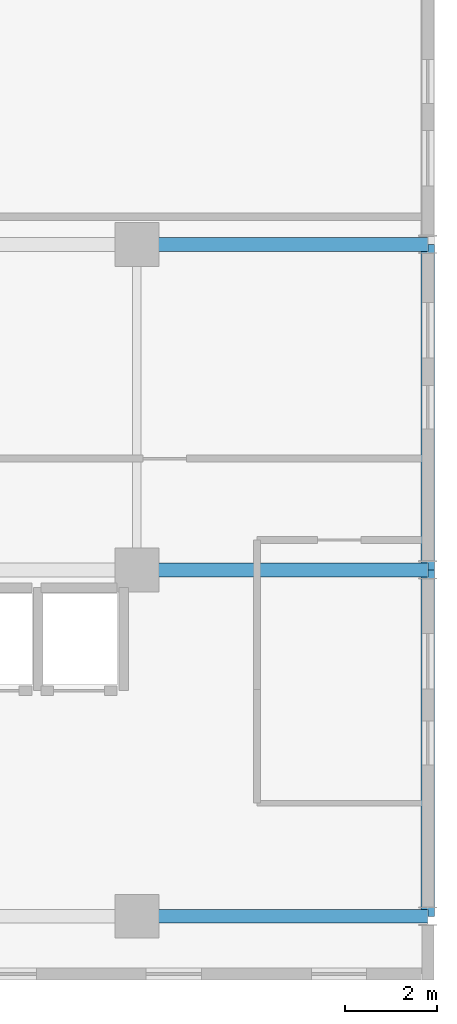
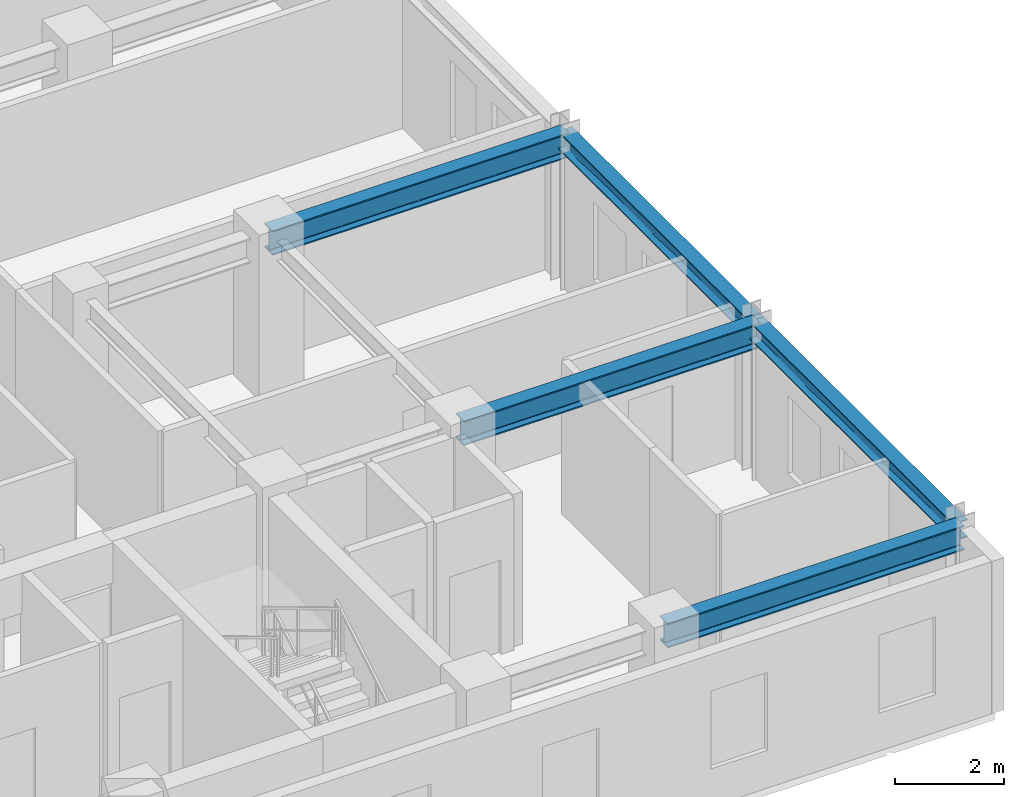
# One storey, part 8 of 24: 5 beams.
"""IFC4 building model written with IfcOpenShell, lengths in metres."""

import ifcopenshell
import ifcopenshell.guid

model = None  # the IFC model being written
_history = None  # IfcOwnerHistory: only IFC2X3 demands one
_inside = {}  # id of a spatial element -> (the spatial element, [elements in it])
_under = {}  # id of a project, library or spatial element -> (it, [spatial elements below it])
_declared = {}  # id of a project -> (the project, [libraries it declares])
_typed = {}  # id of a type object -> (the type object, [elements of that type])
_made_of = {}  # id of a material, layer set ... -> (it, [elements and type objects made of it])


def new_model(schema):
    """Start an empty IFC model of exactly this schema.

    Asked for "IFC4X3", IfcOpenShell would pick the latest addendum, in which some entities
    have other attributes; the version numbers below select the first issue.
    IFC2X3 requires an IfcOwnerHistory on every rooted entity: one is made here for all.
    """
    global model, _history
    if schema == "IFC4X3":
        model = ifcopenshell.file(schema_version=(4, 3, 0, 0))
    else:
        model = ifcopenshell.file(schema=schema)
    _inside.clear()
    _under.clear()
    _declared.clear()
    _typed.clear()
    _made_of.clear()
    _history = None
    if model.schema == "IFC2X3":
        org = make("IfcOrganization", Name="unknown")
        user = make(
            "IfcPersonAndOrganization",
            ThePerson=make("IfcPerson", FamilyName="unknown"),
            TheOrganization=org,
        )
        app = make(
            "IfcApplication",
            ApplicationDeveloper=org,
            Version="unknown",
            ApplicationFullName="unknown",
            ApplicationIdentifier="unknown",
        )
        _history = make(
            "IfcOwnerHistory",
            OwningUser=user,
            OwningApplication=app,
            ChangeAction="ADDED",
            CreationDate=0,
        )
    return model


def make(cls, **values):
    """One entity of the class cls with the attributes given. An attribute that is None is left unset."""
    return model.create_entity(
        cls, **{name: value for name, value in values.items() if value is not None}
    )


def rooted(cls, **values):
    """An entity with a GlobalId (a new one), such as an element, a storey or a relation."""
    return make(cls, GlobalId=ifcopenshell.guid.new(), OwnerHistory=_history, **values)


def si_unit(unit_type, name, prefix=None):
    """IfcSIUnit, for example si_unit("LENGTHUNIT", "METRE", prefix="MILLI")."""
    return make("IfcSIUnit", UnitType=unit_type, Prefix=prefix, Name=name)


def assignment(units):
    """IfcUnitAssignment: the units of a project."""
    return None if units is None else make("IfcUnitAssignment", Units=units)


def point(xyz):
    """IfcCartesianPoint."""
    return None if xyz is None else make("IfcCartesianPoint", Coordinates=xyz)


def direction(xyz):
    """IfcDirection."""
    return None if xyz is None else make("IfcDirection", DirectionRatios=xyz)


def frame(location, z_axis=None, x_axis=None):
    """IfcAxis2Placement3D, a coordinate frame: its origin and axes. An axis left out is left unset."""
    return make(
        "IfcAxis2Placement3D",
        Location=point(location),
        Axis=direction(z_axis),
        RefDirection=direction(x_axis),
    )


def frame_2d(location, x_axis=None):
    """IfcAxis2Placement2D, a coordinate frame in the plane: its origin and x axis."""
    return make(
        "IfcAxis2Placement2D", Location=point(location), RefDirection=direction(x_axis)
    )


def origin():
    """The frame at (0, 0, 0) with its axes left unset."""
    return frame((0.0, 0.0, 0.0))


def origin_2d():
    """The frame at (0, 0) in the plane with its x axis left unset."""
    return frame_2d((0.0, 0.0))


def place(relative_to, where):
    """IfcLocalPlacement: puts the frame where relative to a parent placement (None: the world)."""
    return make(
        "IfcLocalPlacement", PlacementRelTo=relative_to, RelativePlacement=where
    )


def context(
    kind, dimensions, precision=None, world=None, true_north=None, identifier=None
):
    """IfcGeometricRepresentationContext, for example the 3D "Model" context."""
    return make(
        "IfcGeometricRepresentationContext",
        ContextIdentifier=identifier,
        ContextType=kind,
        CoordinateSpaceDimension=dimensions,
        Precision=precision,
        WorldCoordinateSystem=world,
        TrueNorth=true_north,
    )


def subcontext(parent, identifier, kind, view, scale=None):
    """IfcGeometricRepresentationSubContext, for example "Body" below "Model"."""
    return make(
        "IfcGeometricRepresentationSubContext",
        ContextIdentifier=identifier,
        ContextType=kind,
        ParentContext=parent,
        TargetScale=scale,
        TargetView=view,
    )


def project(units=None, contexts=None):
    """IfcProject with its units and contexts."""
    return rooted(
        "IfcProject",
        Name="project",
        RepresentationContexts=contexts,
        UnitsInContext=assignment(units),
    )


def spatial(cls, under=None, at=None, **own):
    """A site, building, storey or space (cls), placed at a placement, below another one or the project."""
    s = rooted(cls, ObjectPlacement=at, **own)
    if under is not None:
        _under.setdefault(under.id(), (under, []))[1].append(s)
    return s


def profile(cls, at=None, kind="AREA", **sizes):
    """A parametric profile (cls). Its sizes go by their IFC names, for example OverallWidth=200.0."""
    return make(cls, ProfileType=kind, Position=at, **sizes)


def i_section(**sizes):
    """IfcIShapeProfileDef."""
    return profile("IfcIShapeProfileDef", **sizes)


def extrude(swept, where, along, depth):
    """IfcExtrudedAreaSolid: the profile swept, set in the frame where, extruded along a direction by depth."""
    return make(
        "IfcExtrudedAreaSolid",
        SweptArea=swept,
        Position=where,
        ExtrudedDirection=direction(along),
        Depth=depth,
    )


def shape(context_of_items, identifier, shape_type, items):
    """IfcShapeRepresentation: the items that make up one representation, for example the "Body"."""
    return make(
        "IfcShapeRepresentation",
        ContextOfItems=context_of_items,
        RepresentationIdentifier=identifier,
        RepresentationType=shape_type,
        Items=items,
    )


def source(mapping_origin, context_of_items, identifier, shape_type, items):
    """IfcRepresentationMap: a shape defined once, which mapped items show again and again."""
    return make(
        "IfcRepresentationMap",
        MappingOrigin=mapping_origin,
        MappedRepresentation=shape(context_of_items, identifier, shape_type, items),
    )


def transform(
    local_origin,
    x_axis=None,
    y_axis=None,
    z_axis=None,
    scale=None,
    scale2=None,
    scale3=None,
    uniform=True,
):
    """IfcCartesianTransformationOperator3D, or its non-uniform kind. x_axis, y_axis, z_axis: its Axis1, 2, 3."""
    if uniform:
        return make(
            "IfcCartesianTransformationOperator3D",
            Axis1=direction(x_axis),
            Axis2=direction(y_axis),
            LocalOrigin=point(local_origin),
            Scale=scale,
            Axis3=direction(z_axis),
        )
    return make(
        "IfcCartesianTransformationOperator3DnonUniform",
        Axis1=direction(x_axis),
        Axis2=direction(y_axis),
        LocalOrigin=point(local_origin),
        Scale=scale,
        Axis3=direction(z_axis),
        Scale2=scale2,
        Scale3=scale3,
    )


def mapped(mapping_source, mapping_target):
    """IfcMappedItem: shows the shape of a source again, moved by a transform."""
    return make(
        "IfcMappedItem", MappingSource=mapping_source, MappingTarget=mapping_target
    )


def material(Name=None, Category=None):
    """IfcMaterial."""
    return make("IfcMaterial", Name=Name, Category=Category)


def material_profile(
    of_material, cross_section, Name=None, Category=None, Priority=None
):
    """IfcMaterialProfile: a cross section and its material."""
    return make(
        "IfcMaterialProfile",
        Name=Name,
        Material=of_material,
        Profile=cross_section,
        Priority=Priority,
        Category=Category,
    )


def profile_set(profiles, Name=None, composite=None):
    """IfcMaterialProfileSet."""
    return make(
        "IfcMaterialProfileSet",
        Name=Name,
        MaterialProfiles=profiles,
        CompositeProfile=composite,
    )


def made_of(thing, what):
    """Note that an element or type object is made of a material, layer set ...; save() writes the relation."""
    if what is not None:
        _made_of.setdefault(what.id(), (what, []))[1].append(thing)
    return thing


def type_object(cls, material=None, **own):
    """A type object (cls), such as IfcWallType, which elements share."""
    return made_of(rooted(cls, **own), material)


def element(
    cls,
    number,
    at=None,
    inside=None,
    cuts=None,
    type_object=None,
    material=None,
    context=None,
    identifier="Body",
    shape_type=None,
    held_by="IfcProductDefinitionShape",
    body=None,
    shapes=None,
    **own,
):
    """One element of the class cls, such as IfcWall. Its Tag is "e" and its number.

    at: its placement. inside: the storey or other place that contains it. cuts: it is an
    opening in that element (IfcRelVoidsElement). A single representation is given by context,
    identifier, shape_type and body (its items); several are given by shapes. held_by: the class
    of the entity that holds the representations. save() writes the other relations.
    """
    e = rooted(cls, Tag="e%d" % number, ObjectPlacement=at, **own)
    if body is not None:
        shapes = [shape(context, identifier, shape_type, body)]
    if shapes is not None:
        e.Representation = make(held_by, Representations=shapes)
    if inside is not None:
        _inside.setdefault(inside.id(), (inside, []))[1].append(e)
    if cuts is not None:
        rooted(
            "IfcRelVoidsElement", RelatingBuildingElement=cuts, RelatedOpeningElement=e
        )
    if type_object is not None:
        _typed.setdefault(type_object.id(), (type_object, []))[1].append(e)
    return made_of(e, material)


def aggregate(whole, parts):
    """IfcRelAggregates: a whole, such as a stair, and the parts it consists of."""
    return rooted("IfcRelAggregates", RelatingObject=whole, RelatedObjects=parts)


def save(model, path):
    """Write the relations noted so far, then the file.

    IfcRelAggregates (storeys below a building ...), IfcRelContainedInSpatialStructure (elements
    in a storey), IfcRelDefinesByType, IfcRelAssociatesMaterial and IfcRelDeclares: one each for
    every whole, place, type object, material and project.
    """
    for whole, parts in _under.values():
        aggregate(whole, parts)
    for where, things in _inside.values():
        rooted(
            "IfcRelContainedInSpatialStructure",
            RelatedElements=things,
            RelatingStructure=where,
        )
    for kind, things in _typed.values():
        rooted("IfcRelDefinesByType", RelatedObjects=things, RelatingType=kind)
    for what, things in _made_of.values():
        rooted("IfcRelAssociatesMaterial", RelatedObjects=things, RelatingMaterial=what)
    for by, libraries in _declared.values():
        rooted("IfcRelDeclares", RelatingContext=by, RelatedDefinitions=libraries)
    model.write(path)


model = new_model("IFC4")

# Units and contexts
model_context = context("Model", 3, precision=1e-05, world=origin(), true_north=direction((0.0, 1.0)))
body_context = subcontext(model_context, "Body", "Model", "MODEL_VIEW")
ifc_project = project(units=[si_unit("LENGTHUNIT", "METRE"), si_unit("AREAUNIT", "SQUARE_METRE"), si_unit("VOLUMEUNIT", "CUBIC_METRE"), si_unit("PLANEANGLEUNIT", "RADIAN"), si_unit("MASSUNIT", "GRAM", prefix="KILO")], contexts=[model_context])

# Site, building, storey
site_placement = place(None, origin())
site = spatial("IfcSite", under=ifc_project, at=site_placement, CompositionType="ELEMENT")
building_placement = place(site_placement, origin())
building = spatial("IfcBuilding", under=site, at=building_placement, Name="Kaliganga Portal Commons", CompositionType="ELEMENT")
storey_placement = place(building_placement, frame((0.0, 0.0, 238.800048828125)))
storey = spatial("IfcBuildingStorey", under=building, at=storey_placement, Name="L61", CompositionType="ELEMENT", Elevation=238.800048828125)

# Beams
ifc_material = material(Name="Structural steel S355J2", Category="steel")
ifc_material_profile_1 = material_profile(ifc_material, i_section(OverallWidth=0.300048828125, OverallDepth=0.550048828125, WebThickness=0.014892578125, FlangeThickness=0.029052734375, FilletRadius=0.027099609375, at=origin_2d()), Name="HE 550 B")
ifc_profile_set_1 = profile_set([ifc_material_profile_1], Name="Structural steel S355J2 wide-flange")
beam_type_1 = type_object("IfcBeamType", Name="BM-GIRD-550", PredefinedType="USERDEFINED", material=ifc_profile_set_1)
shared_shape_1 = source(origin(), body_context, "Body", "SweptSolid", [
    extrude(i_section(OverallWidth=0.300048828125, OverallDepth=0.550048828125, WebThickness=0.014892578125, FlangeThickness=0.029052734375, FilletRadius=0.027099609375, at=origin_2d()), origin(), (0.0, 0.0, 1.0), 6.300048828125),
])
for number, where, z_axis, x_axis, name in (
    (1, (54.39990234375, 7.050048828125, 3.1650390625), (1.0, 0.0, 0.0), (0.0, 1.0, 0.0), "BM G L61 BKE70 2"),
    (2, (54.39990234375, 14.550048828125, 3.1650390625), (1.0, 0.0, 0.0), (0.0, 1.0, 0.0), "BM G L61 BKE146 2"),
    (3, (54.39990234375, 21.60009765625, 3.1650390625), (1.0, 0.0, 0.0), (0.0, 1.0, 0.0), "BM G L61 BKE216 2"),
):
    element("IfcBeam", number, at=place(storey_placement, frame(where, z_axis=z_axis, x_axis=x_axis)), inside=storey, type_object=beam_type_1, Name=name, ObjectType="GIRDER", PredefinedType="USERDEFINED", context=body_context, shape_type="MappedRepresentation", body=[
        mapped(shared_shape_1, transform((0.0, 0.0, 0.0), x_axis=(1.0, 0.0, 0.0), y_axis=(0.0, 1.0, 0.0), z_axis=(0.0, 0.0, 1.0), scale=1.0)),
    ])
ifc_material_profile_2 = material_profile(ifc_material, i_section(OverallWidth=0.300048828125, OverallDepth=0.39990234375, WebThickness=0.013427734375, FlangeThickness=0.02392578125, FilletRadius=0.027099609375, at=origin_2d()), Name="HE 400 B")
ifc_profile_set_2 = profile_set([ifc_material_profile_2], Name="Structural steel S355J2 wide-flange")
beam_type_2 = type_object("IfcBeamType", Name="BM-SPAND-400", PredefinedType="SPANDREL", material=ifc_profile_set_2)
shared_shape_2 = source(origin(), body_context, "Body", "SweptSolid", [
    extrude(i_section(OverallWidth=0.300048828125, OverallDepth=0.39990234375, WebThickness=0.013427734375, FlangeThickness=0.02392578125, FilletRadius=0.027099609375, at=origin_2d()), origin(), (0.0, 0.0, 1.0), 7.5),
])
beam_1_placement = place(storey_placement, frame((60.699951171875, 7.050048828125, 3.239990234375), z_axis=(0.0, 1.0, 0.0), x_axis=(-1.0, 0.0, 0.0)))
element("IfcBeam", 4, at=beam_1_placement, inside=storey, type_object=beam_type_2, Name="BM SP L61 BE 1", PredefinedType="SPANDREL", context=body_context, shape_type="MappedRepresentation", body=[
    mapped(shared_shape_2, transform((0.0, 0.0, 0.0), x_axis=(1.0, 0.0, 0.0), y_axis=(0.0, 1.0, 0.0), z_axis=(0.0, 0.0, 1.0), scale=1.0)),
])
shared_shape_3 = source(origin(), body_context, "Body", "SweptSolid", [
    extrude(i_section(OverallWidth=0.300048828125, OverallDepth=0.39990234375, WebThickness=0.013427734375, FlangeThickness=0.02392578125, FilletRadius=0.027099609375, at=origin_2d()), origin(), (0.0, 0.0, 1.0), 7.050048828125),
])
beam_2_placement = place(storey_placement, frame((60.699951171875, 14.550048828125, 3.239990234375), z_axis=(0.0, 1.0, 0.0), x_axis=(-1.0, 0.0, 0.0)))
element("IfcBeam", 5, at=beam_2_placement, inside=storey, type_object=beam_type_2, Name="BM SP L61 BE 2", PredefinedType="SPANDREL", context=body_context, shape_type="MappedRepresentation", body=[
    mapped(shared_shape_3, transform((0.0, 0.0, 0.0), x_axis=(1.0, 0.0, 0.0), y_axis=(0.0, 1.0, 0.0), z_axis=(0.0, 0.0, 1.0), scale=1.0)),
])

save(model, "model.ifc")
